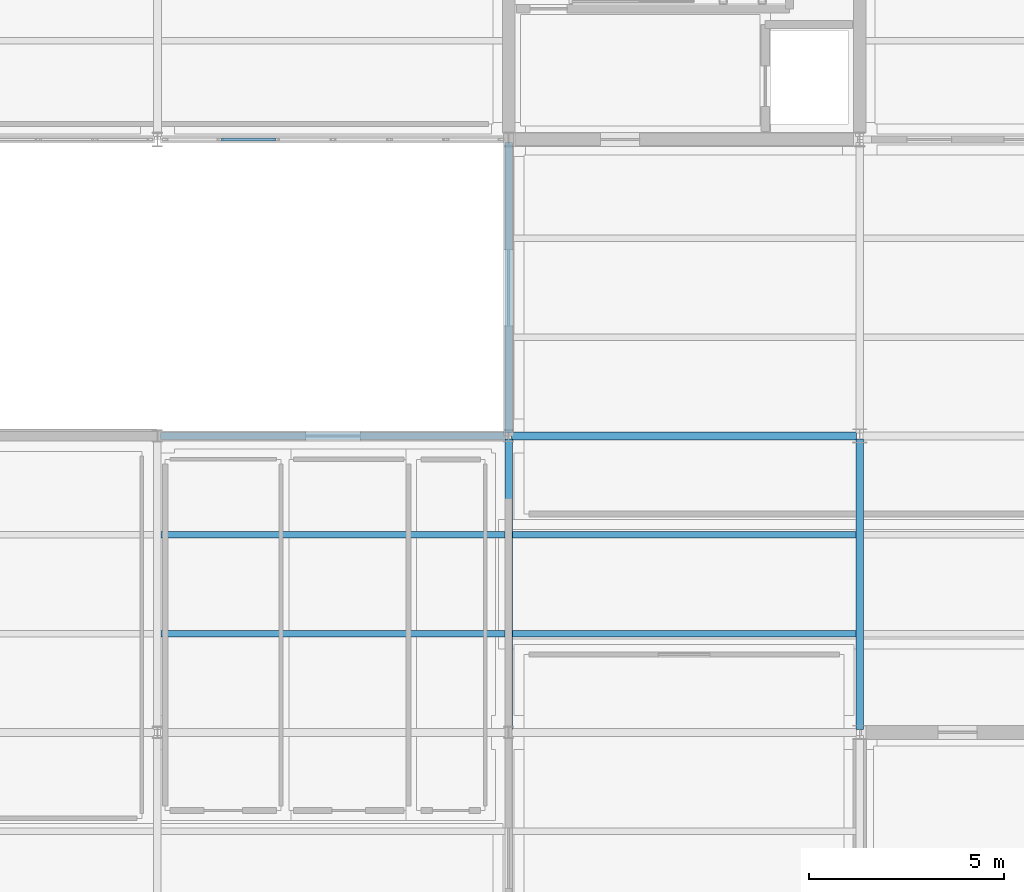
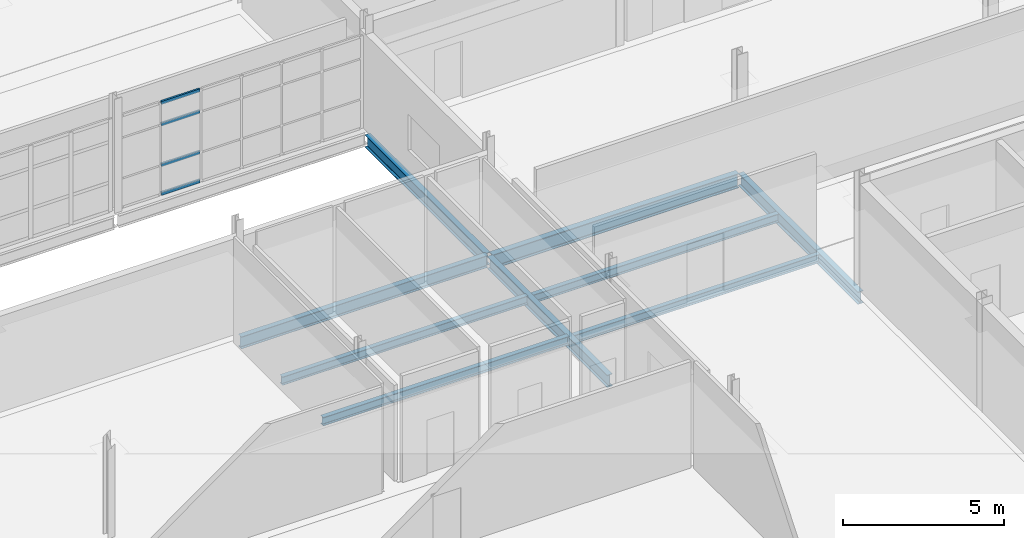
# One storey, part 35 of 174: 9 beams, 4 members, 1 element without a shape of its own.
"""IFC4 building model written with IfcOpenShell, lengths in metres."""

from ifc_helpers import new_model, si_unit, direction, frame, origin, origin_2d, place, context, subcontext, project, spatial, hollow_rectangle, i_section, extrude, material, material_profile, profile_set, type_object, element, aggregate, save


model = new_model("IFC4")

# Units and contexts
model_context = context("Model", 3, precision=1e-05, world=origin(), true_north=direction((0.0, 1.0)))
body_context = subcontext(model_context, "Body", "Model", "MODEL_VIEW")
ifc_project = project(units=[si_unit("LENGTHUNIT", "METRE"), si_unit("AREAUNIT", "SQUARE_METRE"), si_unit("VOLUMEUNIT", "CUBIC_METRE"), si_unit("PLANEANGLEUNIT", "RADIAN"), si_unit("MASSUNIT", "GRAM", prefix="KILO")], contexts=[model_context])

# Site, building, storey
site_placement = place(None, origin())
site = spatial("IfcSite", under=ifc_project, at=site_placement, CompositionType="ELEMENT")
building_placement = place(site_placement, origin())
building = spatial("IfcBuilding", under=site, at=building_placement, Name="Caisbarro Railhouse Central Library", CompositionType="ELEMENT")
storey_placement = place(building_placement, frame((0.0, 0.0, 5.0400390625)))
storey = spatial("IfcBuildingStorey", under=building, at=storey_placement, Name="L01", CompositionType="ELEMENT", Elevation=5.0400390625)

# Beams
ifc_material_1 = material(Name="Steel ASTM A572 Grade 50", Category="steel")
ifc_material_profile_1 = material_profile(ifc_material_1, i_section(OverallWidth=0.2119140625, OverallDepth=0.5439453125, WebThickness=0.01318359375, FlangeThickness=0.021240234375, FilletRadius=0.02001953125, at=origin_2d()), Name="W530X123.0")
ifc_profile_set_1 = profile_set([ifc_material_profile_1], Name="Steel ASTM A572 Grade 50")
beam_type_1 = type_object("IfcBeamType", Name="BM-G05", PredefinedType="BEAM", material=ifc_profile_set_1)
beam_1_placement = place(storey_placement, frame((54.080078125, 22.800048828125, -0.511962890625), z_axis=(1.0, 0.0, 0.0), x_axis=(0.0, 1.0, 0.0)))
element("IfcBeam", 1, at=beam_1_placement, inside=storey, type_object=beam_type_1, Name="G05 beam L01 #710", PredefinedType="BEAM", context=body_context, shape_type="SweptSolid", body=[
    extrude(i_section(OverallWidth=0.2119140625, OverallDepth=0.5439453125, WebThickness=0.01318359375, FlangeThickness=0.021240234375, FilletRadius=0.02001953125, at=origin_2d()), origin(), (0.0, 0.0, 1.0), 8.83984375),
])
ifc_material_profile_2 = material_profile(ifc_material_1, i_section(OverallWidth=0.194091796875, OverallDepth=0.468994140625, WebThickness=0.0126953125, FlangeThickness=0.0205078125, FilletRadius=0.01806640625, at=origin_2d()), Name="W460X106.0")
ifc_profile_set_2 = profile_set([ifc_material_profile_2], Name="Steel ASTM A572 Grade 50")
beam_type_2 = type_object("IfcBeamType", Name="BM-G07", PredefinedType="BEAM", material=ifc_profile_set_2)
beam_2_placement = place(storey_placement, frame((54.0, 15.280029296875, -0.474609375), z_axis=(0.0, 1.0, 0.0), x_axis=(-1.0, 0.0, 0.0)))
element("IfcBeam", 2, at=beam_2_placement, inside=storey, type_object=beam_type_2, Name="G07 beam L01 #724", PredefinedType="BEAM", context=body_context, shape_type="SweptSolid", body=[
    extrude(i_section(OverallWidth=0.194091796875, OverallDepth=0.468994140625, WebThickness=0.0126953125, FlangeThickness=0.0205078125, FilletRadius=0.01806640625, at=origin_2d()), origin(), (0.0, 0.0, 1.0), 7.43994140625),
])
beam_3_placement = place(storey_placement, frame((54.0, 22.8798828125, -0.474609375), z_axis=(0.0, 1.0, 0.0), x_axis=(-1.0, 0.0, 0.0)))
element("IfcBeam", 3, at=beam_3_placement, inside=storey, type_object=beam_type_2, Name="G07 beam L01 #725", PredefinedType="BEAM", context=body_context, shape_type="SweptSolid", body=[
    extrude(i_section(OverallWidth=0.194091796875, OverallDepth=0.468994140625, WebThickness=0.0126953125, FlangeThickness=0.0205078125, FilletRadius=0.01806640625, at=origin_2d()), origin(), (0.0, 0.0, 1.0), 7.440185546875),
])
beam_4_placement = place(storey_placement, frame((63.0, 15.280029296875, -0.474609375), z_axis=(0.0, 1.0, 0.0), x_axis=(-1.0, 0.0, 0.0)))
element("IfcBeam", 4, at=beam_4_placement, inside=storey, type_object=beam_type_2, Name="G07 beam L01 #728", PredefinedType="BEAM", context=body_context, shape_type="SweptSolid", body=[
    extrude(i_section(OverallWidth=0.194091796875, OverallDepth=0.468994140625, WebThickness=0.0126953125, FlangeThickness=0.0205078125, FilletRadius=0.01806640625, at=origin_2d()), origin(), (0.0, 0.0, 1.0), 7.43994140625),
])
ifc_material_profile_3 = material_profile(ifc_material_1, i_section(OverallWidth=0.1669921875, OverallDepth=0.31689453125, WebThickness=0.007568359375, FlangeThickness=0.01318359375, FilletRadius=0.011962890625, at=origin_2d()), Name="W310X52.0")
ifc_profile_set_3 = profile_set([ifc_material_profile_3], Name="Steel ASTM A572 Grade 50")
beam_type_3 = type_object("IfcBeamType", Name="BM-J02", PredefinedType="JOIST", material=ifc_profile_set_3)
for number, where, z_axis, x_axis, name in (
    (5, (54.096923828125, 17.7333984375, -0.3984375), (1.0, 0.0, 0.0), (0.0, 1.0, 0.0), "J02 beam L01 #754"),
    (6, (54.096923828125, 20.2666015625, -0.3984375), (1.0, 0.0, 0.0), (0.0, 1.0, 0.0), "J02 beam L01 #755"),
    (7, (45.096923828125, 17.7333984375, -0.358642578125), (1.0, 0.0, 0.0), (0.0, 1.0, 0.0), "J02 beam L01 #1157"),
    (8, (45.096923828125, 20.2666015625, -0.358642578125), (1.0, 0.0, 0.0), (0.0, 1.0, 0.0), "J02 beam L01 #1158"),
):
    element("IfcBeam", number, at=place(storey_placement, frame(where, z_axis=z_axis, x_axis=x_axis)), inside=storey, type_object=beam_type_3, Name=name, PredefinedType="JOIST", context=body_context, shape_type="SweptSolid", body=[
        extrude(i_section(OverallWidth=0.1669921875, OverallDepth=0.31689453125, WebThickness=0.007568359375, FlangeThickness=0.01318359375, FilletRadius=0.011962890625, at=origin_2d()), origin(), (0.0, 0.0, 1.0), 8.80615234375),
    ])
ifc_material_profile_4 = material_profile(ifc_material_1, i_section(OverallWidth=0.18994140625, OverallDepth=0.45703125, WebThickness=0.009033203125, FlangeThickness=0.014404296875, FilletRadius=0.01806640625, at=origin_2d()), Name="W460X74.0")
ifc_profile_set_4 = profile_set([ifc_material_profile_4], Name="Steel ASTM A572 Grade 50")
beam_type_4 = type_object("IfcBeamType", Name="BM-SP01", PredefinedType="SPANDREL", material=ifc_profile_set_4)
beam_5_placement = place(storey_placement, frame((45.080078125, 22.800048828125, -0.428466796875), z_axis=(1.0, 0.0, 0.0), x_axis=(0.0, 1.0, 0.0)))
element("IfcBeam", 9, at=beam_5_placement, inside=storey, type_object=beam_type_4, Name="SP01 beam L01 #1104", PredefinedType="SPANDREL", context=body_context, shape_type="SweptSolid", body=[
    extrude(i_section(OverallWidth=0.18994140625, OverallDepth=0.45703125, WebThickness=0.009033203125, FlangeThickness=0.014404296875, FilletRadius=0.01806640625, at=origin_2d()), origin(), (0.0, 0.0, 1.0), 8.83984375),
])

# Curtain wall, members
ifc_material_2 = material(Name="Anodised architectural aluminium", Category="aluminium")
curtain_wall_type = type_object("IfcCurtainWallType", Name="CW-CW02", PredefinedType="NOTDEFINED", material=ifc_material_2)
curtain_wall_placement = place(storey_placement, origin())
curtain_wall = element("IfcCurtainWall", 10, at=curtain_wall_placement, inside=storey, type_object=curtain_wall_type, Name="CW02 curtain wall L01 #37", PredefinedType="NOTDEFINED")
ifc_material_profile_5 = material_profile(ifc_material_2, hollow_rectangle(XDim=0.06494140625, YDim=0.1201171875, WallThickness=0.00341796875, at=origin_2d()), Name="ALU-TRN-65X120")
ifc_profile_set_5 = profile_set([ifc_material_profile_5], Name="Anodised architectural aluminium")
member_type = type_object("IfcMemberType", Name="CWT-T02", PredefinedType="USERDEFINED", material=ifc_profile_set_5)
member_1_placement = place(storey_placement, frame((46.63916015625, 30.39990234375, 0.032470703125), z_axis=(1.0, 0.0, 0.0), x_axis=(0.0, 1.0, 0.0)))
member_1 = element("IfcMember", 11, at=member_1_placement, type_object=member_type, Name="CW02 transom 2.1", ObjectType="TRANSOM", PredefinedType="USERDEFINED", context=body_context, shape_type="SweptSolid", body=[
    extrude(hollow_rectangle(XDim=0.06494140625, YDim=0.1201171875, WallThickness=0.00341796875, at=origin_2d()), origin(), (0.0, 0.0, 1.0), 1.381591796875),
])
member_2_placement = place(storey_placement, frame((46.63916015625, 30.39990234375, 1.119873046875), z_axis=(1.0, 0.0, 0.0), x_axis=(0.0, 1.0, 0.0)))
member_2 = element("IfcMember", 12, at=member_2_placement, type_object=member_type, Name="CW02 transom 2.2", ObjectType="TRANSOM", PredefinedType="USERDEFINED", context=body_context, shape_type="SweptSolid", body=[
    extrude(hollow_rectangle(XDim=0.06494140625, YDim=0.1201171875, WallThickness=0.00341796875, at=origin_2d()), origin(), (0.0, 0.0, 1.0), 1.381591796875),
])
member_3_placement = place(storey_placement, frame((46.63916015625, 30.39990234375, 2.659912109375), z_axis=(1.0, 0.0, 0.0), x_axis=(0.0, 1.0, 0.0)))
member_3 = element("IfcMember", 13, at=member_3_placement, type_object=member_type, Name="CW02 transom 2.3", ObjectType="TRANSOM", PredefinedType="USERDEFINED", context=body_context, shape_type="SweptSolid", body=[
    extrude(hollow_rectangle(XDim=0.06494140625, YDim=0.1201171875, WallThickness=0.00341796875, at=origin_2d()), origin(), (0.0, 0.0, 1.0), 1.381591796875),
])
member_4_placement = place(storey_placement, frame((46.63916015625, 30.39990234375, 3.4775390625), z_axis=(1.0, 0.0, 0.0), x_axis=(0.0, 1.0, 0.0)))
member_4 = element("IfcMember", 14, at=member_4_placement, type_object=member_type, Name="CW02 transom 2.4", ObjectType="TRANSOM", PredefinedType="USERDEFINED", context=body_context, shape_type="SweptSolid", body=[
    extrude(hollow_rectangle(XDim=0.06494140625, YDim=0.1201171875, WallThickness=0.00341796875, at=origin_2d()), origin(), (0.0, 0.0, 1.0), 1.381591796875),
])
aggregate(curtain_wall, [member_1, member_2, member_3, member_4])

save(model, "model.ifc")
